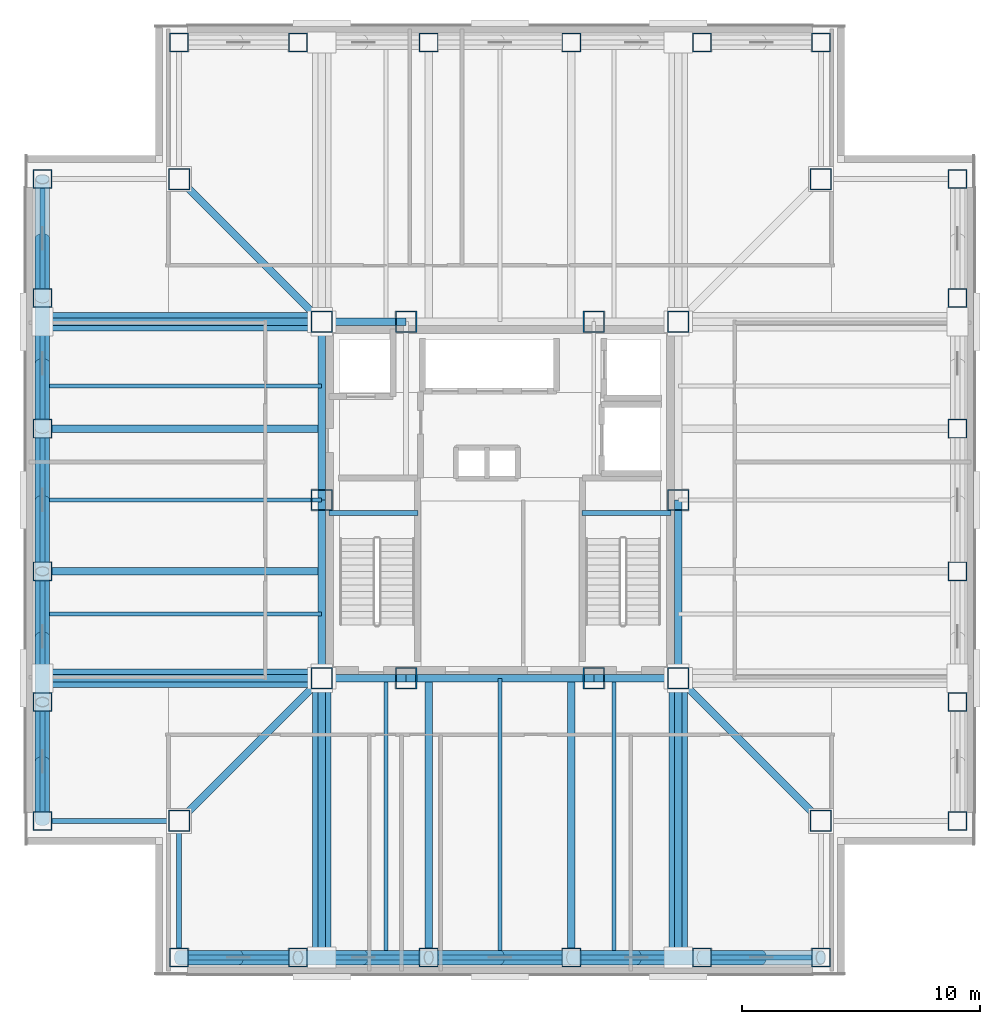
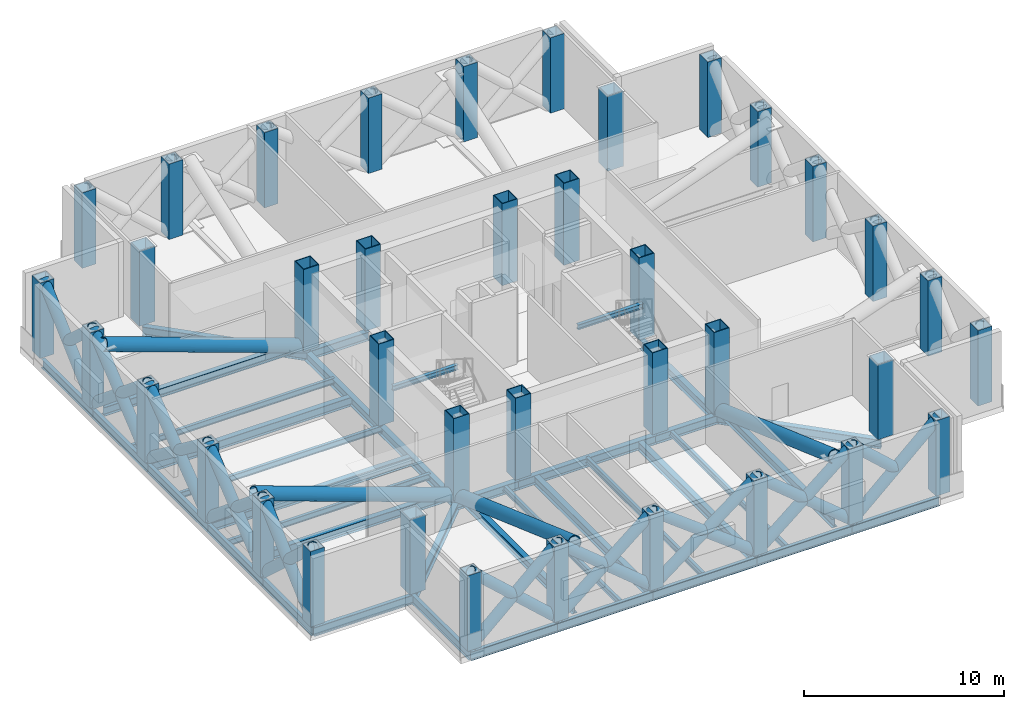
# One storey, part 1 of 10: 38 columns, 36 members, 34 beams.
"""IFC4 building model written with IfcOpenShell, lengths in metres."""

from ifc_helpers import new_model, si_unit, direction, frame, origin, origin_2d, place, context, subcontext, project, spatial, hollow_rectangle, hollow_circle, i_section, extrude, material, material_profile, profile_set, type_object, element, save


model = new_model("IFC4")

# Units and contexts
model_context = context("Model", 3, precision=1e-05, world=origin(), true_north=direction((0.0, 1.0)))
body_context = subcontext(model_context, "Body", "Model", "MODEL_VIEW")
ifc_project = project(units=[si_unit("LENGTHUNIT", "METRE"), si_unit("AREAUNIT", "SQUARE_METRE"), si_unit("VOLUMEUNIT", "CUBIC_METRE"), si_unit("PLANEANGLEUNIT", "RADIAN"), si_unit("MASSUNIT", "GRAM", prefix="KILO")], contexts=[model_context])

# Site, building, storey
site_placement = place(None, origin())
site = spatial("IfcSite", under=ifc_project, at=site_placement, CompositionType="ELEMENT")
building_placement = place(site_placement, origin())
building = spatial("IfcBuilding", under=site, at=building_placement, Name="Trevonay Congress Spire", CompositionType="ELEMENT")
storey_placement = place(building_placement, frame((0.0, 0.0, 227.39990234375)))
storey = spatial("IfcBuildingStorey", under=building, at=storey_placement, Name="L59", CompositionType="ELEMENT", Elevation=227.39990234375)

# Columns
ifc_material = material(Name="Steel ASTM A572 Grade 50", Category="steel")
ifc_material_profile_1 = material_profile(ifc_material, hollow_rectangle(XDim=0.89990234375, YDim=0.89990234375, WallThickness=0.044921875, at=origin_2d()), Name="BOX 900x900x45")
ifc_profile_set_1 = profile_set([ifc_material_profile_1], Name="Steel ASTM A572 Grade 50")
column_type_1 = type_object("IfcColumnType", Name="COL-CORE-BOX900", PredefinedType="COLUMN", material=ifc_profile_set_1)
for number, where, z_axis, x_axis, name in (
    (1, (-7.5, -7.5, 0.0), (0.0, 0.0, 1.0), (1.0, 0.0, 0.0), "L59 column C04 at CC-SW"),
    (2, (-3.949951171875, -7.5, 0.0), (0.0, 0.0, 1.0), (1.0, 0.0, 0.0), "L59 column C04 at CC-SMW"),
    (3, (3.949951171875, -7.5, 0.0), (0.0, 0.0, 1.0), (1.0, 0.0, 0.0), "L59 column C04 at CC-SME"),
    (4, (7.5, -7.5, 0.0), (0.0, 0.0, 1.0), (1.0, 0.0, 0.0), "L59 column C04 at CC-SE"),
    (5, (7.5, 0.0, 0.0), (0.0, 0.0, 1.0), (1.0, 0.0, 0.0), "L59 column C04 at CC-E"),
    (6, (7.5, 7.5, 0.0), (0.0, 0.0, 1.0), (1.0, 0.0, 0.0), "L59 column C04 at CC-NE"),
    (7, (3.949951171875, 7.5, 0.0), (0.0, 0.0, 1.0), (1.0, 0.0, 0.0), "L59 column C04 at CC-NME"),
    (8, (-3.949951171875, 7.5, 0.0), (0.0, 0.0, 1.0), (1.0, 0.0, 0.0), "L59 column C04 at CC-NMW"),
    (9, (-7.5, 7.5, 0.0), (0.0, 0.0, 1.0), (1.0, 0.0, 0.0), "L59 column C04 at CC-NW"),
    (10, (-7.5, 0.0, 0.0), (0.0, 0.0, 1.0), (1.0, 0.0, 0.0), "L59 column C04 at CC-W"),
):
    element("IfcColumn", number, at=place(storey_placement, frame(where, z_axis=z_axis, x_axis=x_axis)), inside=storey, type_object=column_type_1, Name=name, PredefinedType="COLUMN", context=body_context, shape_type="SweptSolid", body=[
        extrude(hollow_rectangle(XDim=0.89990234375, YDim=0.89990234375, WallThickness=0.044921875, at=origin_2d()), origin(), (0.0, 0.0, 1.0), 5.0),
    ])
ifc_material_profile_2 = material_profile(ifc_material, hollow_rectangle(XDim=0.800048828125, YDim=0.800048828125, WallThickness=0.0400390625, at=origin_2d()), Name="BOX 800x800x40")
ifc_profile_set_2 = profile_set([ifc_material_profile_2], Name="Steel ASTM A572 Grade 50")
column_type_2 = type_object("IfcColumnType", Name="COL-TUBE-BOX800", PredefinedType="COLUMN", material=ifc_profile_set_2)
for number, where, z_axis, x_axis, name in (
    (11, (-13.5, -19.25, 0.0), (0.0, 0.0, 1.0), (1.0, 0.0, 0.0), "L59 column C16 at TS-1"),
    (12, (-13.5, 19.25, 0.0), (0.0, 0.0, 1.0), (1.0, 0.0, 0.0), "L59 column C16 at TN-1"),
    (13, (-19.25, -13.5, 0.0), (0.0, 0.0, 1.0), (1.0, 0.0, 0.0), "L59 column C16 at TW-1"),
    (14, (19.25, -13.5, 0.0), (0.0, 0.0, 1.0), (1.0, 0.0, 0.0), "L59 column C16 at TE-1"),
    (15, (-8.5, -19.25, 0.0), (0.0, 0.0, 1.0), (1.0, 0.0, 0.0), "L59 column C16 at TS-2"),
    (16, (-8.5, 19.25, 0.0), (0.0, 0.0, 1.0), (1.0, 0.0, 0.0), "L59 column C16 at TN-2"),
    (17, (-19.25, -8.5, 0.0), (0.0, 0.0, 1.0), (1.0, 0.0, 0.0), "L59 column C16 at TW-2"),
    (18, (19.25, -8.5, 0.0), (0.0, 0.0, 1.0), (1.0, 0.0, 0.0), "L59 column C16 at TE-2"),
    (19, (-3.0, -19.25, 0.0), (0.0, 0.0, 1.0), (1.0, 0.0, 0.0), "L59 column C16 at TS-3"),
    (20, (-3.0, 19.25, 0.0), (0.0, 0.0, 1.0), (1.0, 0.0, 0.0), "L59 column C16 at TN-3"),
    (21, (-19.25, -3.0, 0.0), (0.0, 0.0, 1.0), (1.0, 0.0, 0.0), "L59 column C16 at TW-3"),
    (22, (19.25, -3.0, 0.0), (0.0, 0.0, 1.0), (1.0, 0.0, 0.0), "L59 column C16 at TE-3"),
    (23, (3.0, -19.25, 0.0), (0.0, 0.0, 1.0), (1.0, 0.0, 0.0), "L59 column C16 at TS-4"),
    (24, (3.0, 19.25, 0.0), (0.0, 0.0, 1.0), (1.0, 0.0, 0.0), "L59 column C16 at TN-4"),
    (25, (-19.25, 3.0, 0.0), (0.0, 0.0, 1.0), (1.0, 0.0, 0.0), "L59 column C16 at TW-4"),
    (26, (19.25, 3.0, 0.0), (0.0, 0.0, 1.0), (1.0, 0.0, 0.0), "L59 column C16 at TE-4"),
    (27, (8.5, -19.25, 0.0), (0.0, 0.0, 1.0), (1.0, 0.0, 0.0), "L59 column C16 at TS-5"),
    (28, (8.5, 19.25, 0.0), (0.0, 0.0, 1.0), (1.0, 0.0, 0.0), "L59 column C16 at TN-5"),
    (29, (-19.25, 8.5, 0.0), (0.0, 0.0, 1.0), (1.0, 0.0, 0.0), "L59 column C16 at TW-5"),
    (30, (19.25, 8.5, 0.0), (0.0, 0.0, 1.0), (1.0, 0.0, 0.0), "L59 column C16 at TE-5"),
    (31, (13.5, -19.25, 0.0), (0.0, 0.0, 1.0), (1.0, 0.0, 0.0), "L59 column C16 at TS-6"),
    (32, (13.5, 19.25, 0.0), (0.0, 0.0, 1.0), (1.0, 0.0, 0.0), "L59 column C16 at TN-6"),
    (33, (-19.25, 13.5, 0.0), (0.0, 0.0, 1.0), (1.0, 0.0, 0.0), "L59 column C16 at TW-6"),
    (34, (19.25, 13.5, 0.0), (0.0, 0.0, 1.0), (1.0, 0.0, 0.0), "L59 column C16 at TE-6"),
):
    element("IfcColumn", number, at=place(storey_placement, frame(where, z_axis=z_axis, x_axis=x_axis)), inside=storey, type_object=column_type_2, Name=name, PredefinedType="COLUMN", context=body_context, shape_type="SweptSolid", body=[
        extrude(hollow_rectangle(XDim=0.800048828125, YDim=0.800048828125, WallThickness=0.0400390625, at=origin_2d()), origin(), (0.0, 0.0, 1.0), 4.60009765625),
    ])
ifc_material_profile_3 = material_profile(ifc_material, hollow_rectangle(XDim=0.89990234375, YDim=0.89990234375, WallThickness=0.044921875, at=origin_2d()), Name="BOX 900x900x45")
ifc_profile_set_3 = profile_set([ifc_material_profile_3], Name="Steel ASTM A572 Grade 50")
column_type_3 = type_object("IfcColumnType", Name="COL-TUBE-BOX900", PredefinedType="COLUMN", material=ifc_profile_set_3)
for number, where, z_axis, x_axis, name in (
    (35, (-13.5, -13.5, 0.0), (0.0, 0.0, 1.0), (1.0, 0.0, 0.0), "L59 column C15 at NC-SW"),
    (36, (13.5, -13.5, 0.0), (0.0, 0.0, 1.0), (1.0, 0.0, 0.0), "L59 column C15 at NC-SE"),
    (37, (13.5, 13.5, 0.0), (0.0, 0.0, 1.0), (1.0, 0.0, 0.0), "L59 column C15 at NC-NE"),
    (38, (-13.5, 13.5, 0.0), (0.0, 0.0, 1.0), (1.0, 0.0, 0.0), "L59 column C15 at NC-NW"),
):
    element("IfcColumn", number, at=place(storey_placement, frame(where, z_axis=z_axis, x_axis=x_axis)), inside=storey, type_object=column_type_3, Name=name, PredefinedType="COLUMN", context=body_context, shape_type="SweptSolid", body=[
        extrude(hollow_rectangle(XDim=0.89990234375, YDim=0.89990234375, WallThickness=0.044921875, at=origin_2d()), origin(), (0.0, 0.0, 1.0), 4.60009765625),
    ])

# Beams
ifc_material_profile_4 = material_profile(ifc_material, i_section(OverallWidth=0.31201171875, OverallDepth=0.54296875, WebThickness=0.0126953125, FlangeThickness=0.020263671875, FilletRadius=0.014892578125, at=origin_2d()), Name="W530x150")
ifc_profile_set_4 = profile_set([ifc_material_profile_4], Name="Steel ASTM A572 Grade 50")
beam_type_1 = type_object("IfcBeamType", Name="BM-GIRD-W530X150", PredefinedType="BEAM", material=ifc_profile_set_4)
beam_1_placement = place(storey_placement, frame((-7.5, -7.5, -0.621337890625), z_axis=(1.0, 0.0, 0.0), x_axis=(0.0, 1.0, 0.0)))
element("IfcBeam", 39, at=beam_1_placement, inside=storey, type_object=beam_type_1, Name="L59 structural beam BM-L59-CR-S1", PredefinedType="BEAM", context=body_context, shape_type="SweptSolid", body=[
    extrude(i_section(OverallWidth=0.31201171875, OverallDepth=0.54296875, WebThickness=0.0126953125, FlangeThickness=0.020263671875, FilletRadius=0.014892578125, at=origin_2d()), origin(), (0.0, 0.0, 1.0), 3.550048828125),
])
beam_2_placement = place(storey_placement, frame((-3.949951171875, -7.5, -0.621337890625), z_axis=(1.0, 0.0, 0.0), x_axis=(0.0, 1.0, 0.0)))
element("IfcBeam", 40, at=beam_2_placement, inside=storey, type_object=beam_type_1, Name="L59 structural beam BM-L59-CR-S2", PredefinedType="BEAM", context=body_context, shape_type="SweptSolid", body=[
    extrude(i_section(OverallWidth=0.31201171875, OverallDepth=0.54296875, WebThickness=0.0126953125, FlangeThickness=0.020263671875, FilletRadius=0.014892578125, at=origin_2d()), origin(), (0.0, 0.0, 1.0), 7.89990234375),
])
for number, where, z_axis, x_axis, name in (
    (41, (3.949951171875, -7.5, -0.621337890625), (1.0, 0.0, 0.0), (0.0, 1.0, 0.0), "L59 structural beam BM-L59-CR-S3"),
    (42, (-7.5, 7.5, -0.621337890625), (1.0, 0.0, 0.0), (0.0, 1.0, 0.0), "L59 structural beam BM-L59-CR-N1"),
):
    element("IfcBeam", number, at=place(storey_placement, frame(where, z_axis=z_axis, x_axis=x_axis)), inside=storey, type_object=beam_type_1, Name=name, PredefinedType="BEAM", context=body_context, shape_type="SweptSolid", body=[
        extrude(i_section(OverallWidth=0.31201171875, OverallDepth=0.54296875, WebThickness=0.0126953125, FlangeThickness=0.020263671875, FilletRadius=0.014892578125, at=origin_2d()), origin(), (0.0, 0.0, 1.0), 3.550048828125),
    ])
for number, where, z_axis, x_axis, name in (
    (43, (-7.5, -7.5, -0.621337890625), (0.0, 1.0, 0.0), (-1.0, 0.0, 0.0), "L59 structural beam BM-L59-CR-W1"),
    (44, (-7.5, 0.0, -0.621337890625), (0.0, 1.0, 0.0), (-1.0, 0.0, 0.0), "L59 structural beam BM-L59-CR-W2"),
    (45, (7.5, -7.5, -0.621337890625), (0.0, 1.0, 0.0), (-1.0, 0.0, 0.0), "L59 structural beam BM-L59-CR-E1"),
):
    element("IfcBeam", number, at=place(storey_placement, frame(where, z_axis=z_axis, x_axis=x_axis)), inside=storey, type_object=beam_type_1, Name=name, PredefinedType="BEAM", context=body_context, shape_type="SweptSolid", body=[
        extrude(i_section(OverallWidth=0.31201171875, OverallDepth=0.54296875, WebThickness=0.0126953125, FlangeThickness=0.020263671875, FilletRadius=0.014892578125, at=origin_2d()), origin(), (0.0, 0.0, 1.0), 7.5),
    ])
for number, where, z_axis, x_axis, name in (
    (46, (-7.5, -7.5, -0.621337890625), (-0.707106781187, -0.707106781187, 0.0), (0.707106781187, -0.707106781187, 0.0), "L59 structural beam BM-L59-CDSW"),
    (47, (7.5, -7.5, -0.621337890625), (0.707106781187, -0.707106781187, 0.0), (0.707106781187, 0.707106781187, 0.0), "L59 structural beam BM-L59-CDSE"),
    (48, (-7.5, 7.5, -0.621337890625), (-0.707106781187, 0.707106781187, 0.0), (-0.707106781187, -0.707106781187, 0.0), "L59 structural beam BM-L59-CDNW"),
):
    element("IfcBeam", number, at=place(storey_placement, frame(where, z_axis=z_axis, x_axis=x_axis)), inside=storey, type_object=beam_type_1, Name=name, PredefinedType="BEAM", context=body_context, shape_type="SweptSolid", body=[
        extrude(i_section(OverallWidth=0.31201171875, OverallDepth=0.54296875, WebThickness=0.0126953125, FlangeThickness=0.020263671875, FilletRadius=0.014892578125, at=origin_2d()), origin(), (0.0, 0.0, 1.0), 8.4853515625),
    ])
for number, where, z_axis, x_axis, name in (
    (49, (-3.0, -7.5, -0.621337890625), (0.0, -1.0, 0.0), (1.0, 0.0, 0.0), "L59 structural beam BM-L59-GS-M"),
    (50, (-7.5, -3.0, -0.621337890625), (-1.0, 0.0, 0.0), (0.0, -1.0, 0.0), "L59 structural beam BM-L59-GW-M"),
    (51, (3.0, -7.5, -0.621337890625), (0.0, -1.0, 0.0), (1.0, 0.0, 0.0), "L59 structural beam BM-L59-GS-P"),
    (52, (-7.5, 3.0, -0.621337890625), (-1.0, 0.0, 0.0), (0.0, -1.0, 0.0), "L59 structural beam BM-L59-GW-P"),
):
    element("IfcBeam", number, at=place(storey_placement, frame(where, z_axis=z_axis, x_axis=x_axis)), inside=storey, type_object=beam_type_1, Name=name, PredefinedType="BEAM", context=body_context, shape_type="SweptSolid", body=[
        extrude(i_section(OverallWidth=0.31201171875, OverallDepth=0.54296875, WebThickness=0.0126953125, FlangeThickness=0.020263671875, FilletRadius=0.014892578125, at=origin_2d()), origin(), (0.0, 0.0, 1.0), 11.75),
    ])
ifc_material_profile_5 = material_profile(ifc_material, i_section(OverallWidth=0.2119140625, OverallDepth=0.5439453125, WebThickness=0.01318359375, FlangeThickness=0.021240234375, FilletRadius=0.014892578125, at=origin_2d()), Name="W530x123")
ifc_profile_set_5 = profile_set([ifc_material_profile_5], Name="Steel ASTM A572 Grade 50")
beam_type_2 = type_object("IfcBeamType", Name="BM-RING-W530X123", PredefinedType="BEAM", material=ifc_profile_set_5)
for number, where, z_axis, x_axis, name in (
    (53, (-13.5, -19.25, -0.621826171875), (1.0, 0.0, 0.0), (0.0, 1.0, 0.0), "L59 structural beam BM-L59-PS1"),
    (54, (-19.25, -13.5, -0.621826171875), (0.0, 1.0, 0.0), (-1.0, 0.0, 0.0), "L59 structural beam BM-L59-PW1"),
):
    element("IfcBeam", number, at=place(storey_placement, frame(where, z_axis=z_axis, x_axis=x_axis)), inside=storey, type_object=beam_type_2, Name=name, PredefinedType="BEAM", context=body_context, shape_type="SweptSolid", body=[
        extrude(i_section(OverallWidth=0.2119140625, OverallDepth=0.5439453125, WebThickness=0.01318359375, FlangeThickness=0.021240234375, FilletRadius=0.014892578125, at=origin_2d()), origin(), (0.0, 0.0, 1.0), 5.0),
    ])
for number, where, z_axis, x_axis, name in (
    (55, (-8.5, -19.25, -0.621826171875), (1.0, 0.0, 0.0), (0.0, 1.0, 0.0), "L59 structural beam BM-L59-PS2"),
    (56, (-19.25, -8.5, -0.621826171875), (0.0, 1.0, 0.0), (-1.0, 0.0, 0.0), "L59 structural beam BM-L59-PW2"),
):
    element("IfcBeam", number, at=place(storey_placement, frame(where, z_axis=z_axis, x_axis=x_axis)), inside=storey, type_object=beam_type_2, Name=name, PredefinedType="BEAM", context=body_context, shape_type="SweptSolid", body=[
        extrude(i_section(OverallWidth=0.2119140625, OverallDepth=0.5439453125, WebThickness=0.01318359375, FlangeThickness=0.021240234375, FilletRadius=0.014892578125, at=origin_2d()), origin(), (0.0, 0.0, 1.0), 5.5),
    ])
for number, where, z_axis, x_axis, name in (
    (57, (-3.0, -19.25, -0.621826171875), (1.0, 0.0, 0.0), (0.0, 1.0, 0.0), "L59 structural beam BM-L59-PS3"),
    (58, (-19.25, -3.0, -0.621826171875), (0.0, 1.0, 0.0), (-1.0, 0.0, 0.0), "L59 structural beam BM-L59-PW3"),
):
    element("IfcBeam", number, at=place(storey_placement, frame(where, z_axis=z_axis, x_axis=x_axis)), inside=storey, type_object=beam_type_2, Name=name, PredefinedType="BEAM", context=body_context, shape_type="SweptSolid", body=[
        extrude(i_section(OverallWidth=0.2119140625, OverallDepth=0.5439453125, WebThickness=0.01318359375, FlangeThickness=0.021240234375, FilletRadius=0.014892578125, at=origin_2d()), origin(), (0.0, 0.0, 1.0), 6.0),
    ])
for number, where, z_axis, x_axis, name in (
    (59, (3.0, -19.25, -0.621826171875), (1.0, 0.0, 0.0), (0.0, 1.0, 0.0), "L59 structural beam BM-L59-PS4"),
    (60, (-19.25, 3.0, -0.621826171875), (0.0, 1.0, 0.0), (-1.0, 0.0, 0.0), "L59 structural beam BM-L59-PW4"),
):
    element("IfcBeam", number, at=place(storey_placement, frame(where, z_axis=z_axis, x_axis=x_axis)), inside=storey, type_object=beam_type_2, Name=name, PredefinedType="BEAM", context=body_context, shape_type="SweptSolid", body=[
        extrude(i_section(OverallWidth=0.2119140625, OverallDepth=0.5439453125, WebThickness=0.01318359375, FlangeThickness=0.021240234375, FilletRadius=0.014892578125, at=origin_2d()), origin(), (0.0, 0.0, 1.0), 5.5),
    ])
for number, where, z_axis, x_axis, name in (
    (61, (8.5, -19.25, -0.621826171875), (1.0, 0.0, 0.0), (0.0, 1.0, 0.0), "L59 structural beam BM-L59-PS5"),
    (62, (-19.25, 8.5, -0.621826171875), (0.0, 1.0, 0.0), (-1.0, 0.0, 0.0), "L59 structural beam BM-L59-PW5"),
):
    element("IfcBeam", number, at=place(storey_placement, frame(where, z_axis=z_axis, x_axis=x_axis)), inside=storey, type_object=beam_type_2, Name=name, PredefinedType="BEAM", context=body_context, shape_type="SweptSolid", body=[
        extrude(i_section(OverallWidth=0.2119140625, OverallDepth=0.5439453125, WebThickness=0.01318359375, FlangeThickness=0.021240234375, FilletRadius=0.014892578125, at=origin_2d()), origin(), (0.0, 0.0, 1.0), 5.0),
    ])
for number, where, z_axis, x_axis, name in (
    (63, (-13.5, -19.25, -0.621826171875), (0.0, 1.0, 0.0), (-1.0, 0.0, 0.0), "L59 structural beam BM-L59-N1SW"),
    (64, (-19.25, -13.5, -0.621826171875), (1.0, 0.0, 0.0), (0.0, 1.0, 0.0), "L59 structural beam BM-L59-N2SW"),
):
    element("IfcBeam", number, at=place(storey_placement, frame(where, z_axis=z_axis, x_axis=x_axis)), inside=storey, type_object=beam_type_2, Name=name, PredefinedType="BEAM", context=body_context, shape_type="SweptSolid", body=[
        extrude(i_section(OverallWidth=0.2119140625, OverallDepth=0.5439453125, WebThickness=0.01318359375, FlangeThickness=0.021240234375, FilletRadius=0.014892578125, at=origin_2d()), origin(), (0.0, 0.0, 1.0), 5.75),
    ])
ifc_material_profile_6 = material_profile(ifc_material, i_section(OverallWidth=0.172119140625, OverallDepth=0.35791015625, WebThickness=0.0078125, FlangeThickness=0.01318359375, FilletRadius=0.011962890625, at=origin_2d()), Name="W360x57.8")
ifc_profile_set_6 = profile_set([ifc_material_profile_6], Name="Steel ASTM A572 Grade 50")
beam_type_3 = type_object("IfcBeamType", Name="JS-COMP-W360X57", PredefinedType="JOIST", material=ifc_profile_set_6)
for number, where, z_axis, x_axis, name in (
    (65, (-4.800048828125, -19.25, -0.52880859375), (0.0, 1.0, 0.0), (-1.0, 0.0, 0.0), "L59 structural beam JS-L59-NS-S1"),
    (66, (-19.25, -4.800048828125, -0.52880859375), (1.0, 0.0, 0.0), (0.0, 1.0, 0.0), "L59 structural beam JS-L59-EW-W1"),
    (67, (0.0, -19.25, -0.52880859375), (0.0, 1.0, 0.0), (-1.0, 0.0, 0.0), "L59 structural beam JS-L59-NS-S2"),
    (68, (-19.25, 0.0, -0.52880859375), (1.0, 0.0, 0.0), (0.0, 1.0, 0.0), "L59 structural beam JS-L59-EW-W2"),
    (69, (4.800048828125, -19.25, -0.52880859375), (0.0, 1.0, 0.0), (-1.0, 0.0, 0.0), "L59 structural beam JS-L59-NS-S3"),
    (70, (-19.25, 4.800048828125, -0.52880859375), (1.0, 0.0, 0.0), (0.0, 1.0, 0.0), "L59 structural beam JS-L59-EW-W3"),
):
    element("IfcBeam", number, at=place(storey_placement, frame(where, z_axis=z_axis, x_axis=x_axis)), inside=storey, type_object=beam_type_3, Name=name, PredefinedType="JOIST", context=body_context, shape_type="SweptSolid", body=[
        extrude(i_section(OverallWidth=0.172119140625, OverallDepth=0.35791015625, WebThickness=0.0078125, FlangeThickness=0.01318359375, FilletRadius=0.011962890625, at=origin_2d()), origin(), (0.0, 0.0, 1.0), 11.75),
    ])
ifc_material_profile_7 = material_profile(ifc_material, i_section(OverallWidth=0.2041015625, OverallDepth=0.305908203125, WebThickness=0.008544921875, FlangeThickness=0.0146484375, FilletRadius=0.010986328125, at=origin_2d()), Name="W310x67")
ifc_profile_set_7 = profile_set([ifc_material_profile_7], Name="Steel ASTM A572 Grade 50")
beam_type_4 = type_object("IfcBeamType", Name="LN-CORE-W310X67", PredefinedType="LINTEL", material=ifc_profile_set_7)
for number, where, z_axis, x_axis, name in (
    (71, (-7.199951171875, -0.550048828125, 2.147216796875), (1.0, 0.0, 0.0), (0.0, 1.0, 0.0), "L59 structural beam BM-L59-HL-ST1"),
    (72, (3.449951171875, -0.550048828125, 2.147216796875), (1.0, 0.0, 0.0), (0.0, 1.0, 0.0), "L59 structural beam BM-L59-HL-ST2"),
):
    element("IfcBeam", number, at=place(storey_placement, frame(where, z_axis=z_axis, x_axis=x_axis)), inside=storey, type_object=beam_type_4, Name=name, PredefinedType="LINTEL", context=body_context, shape_type="SweptSolid", body=[
        extrude(i_section(OverallWidth=0.2041015625, OverallDepth=0.305908203125, WebThickness=0.008544921875, FlangeThickness=0.0146484375, FilletRadius=0.010986328125, at=origin_2d()), origin(), (0.0, 0.0, 1.0), 3.75),
    ])

# Members
ifc_material_profile_8 = material_profile(ifc_material, i_section(OverallWidth=0.31201171875, OverallDepth=0.54296875, WebThickness=0.0126953125, FlangeThickness=0.020263671875, FilletRadius=0.014892578125, at=origin_2d()), Name="W530x150")
ifc_profile_set_8 = profile_set([ifc_material_profile_8], Name="Steel ASTM A572 Grade 50")
member_type_1 = type_object("IfcMemberType", Name="MBR-CHORD-HSS500", PredefinedType="CHORD", material=ifc_profile_set_8)
for number, where, z_axis, x_axis, name in (
    (73, (-7.5, -7.5, 0.10009765625), (0.0, -1.0, 0.0), (1.0, 0.0, 0.0), "L59 outrigger bottom chord OS-W"),
    (74, (7.5, -7.5, 0.10009765625), (0.0, -1.0, 0.0), (1.0, 0.0, 0.0), "L59 outrigger bottom chord OS-E"),
    (75, (-7.5, -7.5, 0.10009765625), (-1.0, 0.0, 0.0), (0.0, -1.0, 0.0), "L59 outrigger bottom chord OW-S"),
    (76, (-7.5, 7.5, 0.10009765625), (-1.0, 0.0, 0.0), (0.0, -1.0, 0.0), "L59 outrigger bottom chord OW-N"),
):
    element("IfcMember", number, at=place(storey_placement, frame(where, z_axis=z_axis, x_axis=x_axis)), inside=storey, type_object=member_type_1, Name=name, PredefinedType="CHORD", context=body_context, shape_type="SweptSolid", body=[
        extrude(i_section(OverallWidth=0.31201171875, OverallDepth=0.54296875, WebThickness=0.0126953125, FlangeThickness=0.020263671875, FilletRadius=0.014892578125, at=origin_2d()), origin(), (0.0, 0.0, 1.0), 11.75),
    ])
ifc_material_profile_9 = material_profile(ifc_material, hollow_circle(Radius=0.381103515625, WallThickness=0.0400390625, at=origin_2d()), Name="CHS 762x40")
ifc_profile_set_9 = profile_set([ifc_material_profile_9], Name="Steel ASTM A572 Grade 50")
member_type_2 = type_object("IfcMemberType", Name="MBR-OUTRIG-CHS762", PredefinedType="BRACE", material=ifc_profile_set_9)
for number, where, z_axis, x_axis, name in (
    (77, (-7.5, -7.5, -0.0498046875), (0.0, -0.941652460936, 0.336586753771), (1.0, 0.0, 0.0), "L59 outrigger diagonal OS-W"),
    (78, (7.5, -7.5, -0.0498046875), (0.0, -0.941652460936, 0.336586753771), (1.0, 0.0, 0.0), "L59 outrigger diagonal OS-E"),
    (79, (-7.5, -7.5, -0.0498046875), (-0.941652460936, 0.0, 0.336586753771), (0.0, -1.0, 0.0), "L59 outrigger diagonal OW-S"),
    (80, (-7.5, 7.5, -0.0498046875), (-0.941652460936, 0.0, 0.336586753771), (0.0, -1.0, 0.0), "L59 outrigger diagonal OW-N"),
):
    element("IfcMember", number, at=place(storey_placement, frame(where, z_axis=z_axis, x_axis=x_axis)), inside=storey, type_object=member_type_2, Name=name, PredefinedType="BRACE", context=body_context, shape_type="SweptSolid", body=[
        extrude(hollow_circle(Radius=0.381103515625, WallThickness=0.0400390625, at=origin_2d()), origin(), (0.0, 0.0, 1.0), 12.47802734375),
    ])
ifc_material_profile_10 = material_profile(ifc_material, hollow_circle(Radius=0.304931640625, WallThickness=0.031982421875, at=origin_2d()), Name="CHS 610x32")
ifc_profile_set_10 = profile_set([ifc_material_profile_10], Name="Steel ASTM A572 Grade 50")
member_type_3 = type_object("IfcMemberType", Name="MBR-TUBE-CHS610", PredefinedType="BRACE", material=ifc_profile_set_10)
member_1_placement = place(storey_placement, frame((-13.5, -19.25, -0.0498046875), z_axis=(0.739619700303, 0.0, 0.673025035881), x_axis=(0.0, 1.0, 0.0)))
element("IfcMember", 81, at=member_1_placement, inside=storey, type_object=member_type_3, Name="L59 continuous belt truss diagonal S0-1", PredefinedType="BRACE", context=body_context, shape_type="SweptSolid", body=[
    extrude(hollow_circle(Radius=0.304931640625, WallThickness=0.031982421875, at=origin_2d()), origin(), (0.0, 0.0, 1.0), 6.76025390625),
])
for number, where, z_axis, x_axis, name in (
    (82, (-13.5, -19.25, 4.5), (0.739619700303, 0.0, -0.673025035881), (0.0, 1.0, 0.0), "L59 split belt truss diagonal segment S0-2A"),
    (83, (-11.0, -19.25, 2.22509765625), (0.739619700303, 0.0, -0.673025035881), (0.0, 1.0, 0.0), "L59 split belt truss diagonal segment S0-2B"),
):
    element("IfcMember", number, at=place(storey_placement, frame(where, z_axis=z_axis, x_axis=x_axis)), inside=storey, type_object=member_type_3, Name=name, PredefinedType="BRACE", context=body_context, shape_type="SweptSolid", body=[
        extrude(hollow_circle(Radius=0.304931640625, WallThickness=0.031982421875, at=origin_2d()), origin(), (0.0, 0.0, 1.0), 3.380126953125),
    ])
member_2_placement = place(storey_placement, frame((-8.5, -19.25, -0.0498046875), z_axis=(0.770526385827, 0.0, 0.637408102196), x_axis=(0.0, 1.0, 0.0)))
element("IfcMember", 84, at=member_2_placement, inside=storey, type_object=member_type_3, Name="L59 continuous belt truss diagonal S1-1", PredefinedType="BRACE", context=body_context, shape_type="SweptSolid", body=[
    extrude(hollow_circle(Radius=0.304931640625, WallThickness=0.031982421875, at=origin_2d()), origin(), (0.0, 0.0, 1.0), 7.137939453125),
])
for number, where, z_axis, x_axis, name in (
    (85, (-8.5, -19.25, 4.5), (0.770526385827, 0.0, -0.637408102196), (0.0, 1.0, 0.0), "L59 split belt truss diagonal segment S1-2A"),
    (86, (-5.75, -19.25, 2.22509765625), (0.770526385827, 0.0, -0.637408102196), (0.0, 1.0, 0.0), "L59 split belt truss diagonal segment S1-2B"),
):
    element("IfcMember", number, at=place(storey_placement, frame(where, z_axis=z_axis, x_axis=x_axis)), inside=storey, type_object=member_type_3, Name=name, PredefinedType="BRACE", context=body_context, shape_type="SweptSolid", body=[
        extrude(hollow_circle(Radius=0.304931640625, WallThickness=0.031982421875, at=origin_2d()), origin(), (0.0, 0.0, 1.0), 3.569091796875),
    ])
member_3_placement = place(storey_placement, frame((-3.0, -19.25, -0.0498046875), z_axis=(0.796813994837, 0.0, 0.604224674796), x_axis=(0.0, 1.0, 0.0)))
element("IfcMember", 87, at=member_3_placement, inside=storey, type_object=member_type_3, Name="L59 continuous belt truss diagonal S2-1", PredefinedType="BRACE", context=body_context, shape_type="SweptSolid", body=[
    extrude(hollow_circle(Radius=0.304931640625, WallThickness=0.031982421875, at=origin_2d()), origin(), (0.0, 0.0, 1.0), 7.530029296875),
])
for number, where, z_axis, x_axis, name in (
    (88, (-3.0, -19.25, 4.5), (0.796813994837, 0.0, -0.604224674796), (0.0, 1.0, 0.0), "L59 split belt truss diagonal segment S2-2A"),
    (89, (0.0, -19.25, 2.22509765625), (0.796813994837, 0.0, -0.604224674796), (0.0, 1.0, 0.0), "L59 split belt truss diagonal segment S2-2B"),
):
    element("IfcMember", number, at=place(storey_placement, frame(where, z_axis=z_axis, x_axis=x_axis)), inside=storey, type_object=member_type_3, Name=name, PredefinedType="BRACE", context=body_context, shape_type="SweptSolid", body=[
        extrude(hollow_circle(Radius=0.304931640625, WallThickness=0.031982421875, at=origin_2d()), origin(), (0.0, 0.0, 1.0), 3.764892578125),
    ])
member_4_placement = place(storey_placement, frame((3.0, -19.25, -0.0498046875), z_axis=(0.770526385827, 0.0, 0.637408102196), x_axis=(0.0, 1.0, 0.0)))
element("IfcMember", 90, at=member_4_placement, inside=storey, type_object=member_type_3, Name="L59 continuous belt truss diagonal S3-1", PredefinedType="BRACE", context=body_context, shape_type="SweptSolid", body=[
    extrude(hollow_circle(Radius=0.304931640625, WallThickness=0.031982421875, at=origin_2d()), origin(), (0.0, 0.0, 1.0), 7.137939453125),
])
for number, where, z_axis, x_axis, name in (
    (91, (3.0, -19.25, 4.5), (0.770526385827, 0.0, -0.637408102196), (0.0, 1.0, 0.0), "L59 split belt truss diagonal segment S3-2A"),
    (92, (5.75, -19.25, 2.22509765625), (0.770526385827, 0.0, -0.637408102196), (0.0, 1.0, 0.0), "L59 split belt truss diagonal segment S3-2B"),
):
    element("IfcMember", number, at=place(storey_placement, frame(where, z_axis=z_axis, x_axis=x_axis)), inside=storey, type_object=member_type_3, Name=name, PredefinedType="BRACE", context=body_context, shape_type="SweptSolid", body=[
        extrude(hollow_circle(Radius=0.304931640625, WallThickness=0.031982421875, at=origin_2d()), origin(), (0.0, 0.0, 1.0), 3.569091796875),
    ])
member_5_placement = place(storey_placement, frame((8.5, -19.25, -0.0498046875), z_axis=(0.739619700303, 0.0, 0.673025035881), x_axis=(0.0, 1.0, 0.0)))
element("IfcMember", 93, at=member_5_placement, inside=storey, type_object=member_type_3, Name="L59 continuous belt truss diagonal S4-1", PredefinedType="BRACE", context=body_context, shape_type="SweptSolid", body=[
    extrude(hollow_circle(Radius=0.304931640625, WallThickness=0.031982421875, at=origin_2d()), origin(), (0.0, 0.0, 1.0), 6.76025390625),
])
member_6_placement = place(storey_placement, frame((8.5, -19.25, 4.5), z_axis=(0.739619700303, 0.0, -0.673025035881), x_axis=(0.0, 1.0, 0.0)))
element("IfcMember", 94, at=member_6_placement, inside=storey, type_object=member_type_3, Name="L59 split belt truss diagonal segment S4-2A", PredefinedType="BRACE", context=body_context, shape_type="SweptSolid", body=[
    extrude(hollow_circle(Radius=0.304931640625, WallThickness=0.031982421875, at=origin_2d()), origin(), (0.0, 0.0, 1.0), 3.380126953125),
])
member_7_placement = place(storey_placement, frame((-19.25, -13.5, -0.0498046875), z_axis=(0.0, 0.739619700303, 0.673025035881), x_axis=(-1.0, 0.0, 0.0)))
element("IfcMember", 95, at=member_7_placement, inside=storey, type_object=member_type_3, Name="L59 continuous belt truss diagonal W0-1", PredefinedType="BRACE", context=body_context, shape_type="SweptSolid", body=[
    extrude(hollow_circle(Radius=0.304931640625, WallThickness=0.031982421875, at=origin_2d()), origin(), (0.0, 0.0, 1.0), 6.76025390625),
])
for number, where, z_axis, x_axis, name in (
    (96, (-19.25, -13.5, 4.5), (0.0, 0.739619700303, -0.673025035881), (-1.0, 0.0, 0.0), "L59 split belt truss diagonal segment W0-2A"),
    (97, (-19.25, -11.0, 2.22509765625), (0.0, 0.739619700303, -0.673025035881), (-1.0, 0.0, 0.0), "L59 split belt truss diagonal segment W0-2B"),
):
    element("IfcMember", number, at=place(storey_placement, frame(where, z_axis=z_axis, x_axis=x_axis)), inside=storey, type_object=member_type_3, Name=name, PredefinedType="BRACE", context=body_context, shape_type="SweptSolid", body=[
        extrude(hollow_circle(Radius=0.304931640625, WallThickness=0.031982421875, at=origin_2d()), origin(), (0.0, 0.0, 1.0), 3.380126953125),
    ])
member_8_placement = place(storey_placement, frame((-19.25, -8.5, -0.0498046875), z_axis=(0.0, 0.770526385827, 0.637408102196), x_axis=(-1.0, 0.0, 0.0)))
element("IfcMember", 98, at=member_8_placement, inside=storey, type_object=member_type_3, Name="L59 continuous belt truss diagonal W1-1", PredefinedType="BRACE", context=body_context, shape_type="SweptSolid", body=[
    extrude(hollow_circle(Radius=0.304931640625, WallThickness=0.031982421875, at=origin_2d()), origin(), (0.0, 0.0, 1.0), 7.137939453125),
])
for number, where, z_axis, x_axis, name in (
    (99, (-19.25, -8.5, 4.5), (0.0, 0.770526385827, -0.637408102196), (-1.0, 0.0, 0.0), "L59 split belt truss diagonal segment W1-2A"),
    (100, (-19.25, -5.75, 2.22509765625), (0.0, 0.770526385827, -0.637408102196), (-1.0, 0.0, 0.0), "L59 split belt truss diagonal segment W1-2B"),
):
    element("IfcMember", number, at=place(storey_placement, frame(where, z_axis=z_axis, x_axis=x_axis)), inside=storey, type_object=member_type_3, Name=name, PredefinedType="BRACE", context=body_context, shape_type="SweptSolid", body=[
        extrude(hollow_circle(Radius=0.304931640625, WallThickness=0.031982421875, at=origin_2d()), origin(), (0.0, 0.0, 1.0), 3.569091796875),
    ])
member_9_placement = place(storey_placement, frame((-19.25, -3.0, -0.0498046875), z_axis=(0.0, 0.796813994837, 0.604224674796), x_axis=(-1.0, 0.0, 0.0)))
element("IfcMember", 101, at=member_9_placement, inside=storey, type_object=member_type_3, Name="L59 continuous belt truss diagonal W2-1", PredefinedType="BRACE", context=body_context, shape_type="SweptSolid", body=[
    extrude(hollow_circle(Radius=0.304931640625, WallThickness=0.031982421875, at=origin_2d()), origin(), (0.0, 0.0, 1.0), 7.530029296875),
])
for number, where, z_axis, x_axis, name in (
    (102, (-19.25, -3.0, 4.5), (0.0, 0.796813994837, -0.604224674796), (-1.0, 0.0, 0.0), "L59 split belt truss diagonal segment W2-2A"),
    (103, (-19.25, 0.0, 2.22509765625), (0.0, 0.796813994837, -0.604224674796), (-1.0, 0.0, 0.0), "L59 split belt truss diagonal segment W2-2B"),
):
    element("IfcMember", number, at=place(storey_placement, frame(where, z_axis=z_axis, x_axis=x_axis)), inside=storey, type_object=member_type_3, Name=name, PredefinedType="BRACE", context=body_context, shape_type="SweptSolid", body=[
        extrude(hollow_circle(Radius=0.304931640625, WallThickness=0.031982421875, at=origin_2d()), origin(), (0.0, 0.0, 1.0), 3.764892578125),
    ])
member_10_placement = place(storey_placement, frame((-19.25, 3.0, -0.0498046875), z_axis=(0.0, 0.770526385827, 0.637408102196), x_axis=(-1.0, 0.0, 0.0)))
element("IfcMember", 104, at=member_10_placement, inside=storey, type_object=member_type_3, Name="L59 continuous belt truss diagonal W3-1", PredefinedType="BRACE", context=body_context, shape_type="SweptSolid", body=[
    extrude(hollow_circle(Radius=0.304931640625, WallThickness=0.031982421875, at=origin_2d()), origin(), (0.0, 0.0, 1.0), 7.137939453125),
])
for number, where, z_axis, x_axis, name in (
    (105, (-19.25, 3.0, 4.5), (0.0, 0.770526385827, -0.637408102196), (-1.0, 0.0, 0.0), "L59 split belt truss diagonal segment W3-2A"),
    (106, (-19.25, 5.75, 2.22509765625), (0.0, 0.770526385827, -0.637408102196), (-1.0, 0.0, 0.0), "L59 split belt truss diagonal segment W3-2B"),
):
    element("IfcMember", number, at=place(storey_placement, frame(where, z_axis=z_axis, x_axis=x_axis)), inside=storey, type_object=member_type_3, Name=name, PredefinedType="BRACE", context=body_context, shape_type="SweptSolid", body=[
        extrude(hollow_circle(Radius=0.304931640625, WallThickness=0.031982421875, at=origin_2d()), origin(), (0.0, 0.0, 1.0), 3.569091796875),
    ])
member_11_placement = place(storey_placement, frame((-19.25, 8.5, -0.0498046875), z_axis=(0.0, 0.739619700303, 0.673025035881), x_axis=(-1.0, 0.0, 0.0)))
element("IfcMember", 107, at=member_11_placement, inside=storey, type_object=member_type_3, Name="L59 continuous belt truss diagonal W4-1", PredefinedType="BRACE", context=body_context, shape_type="SweptSolid", body=[
    extrude(hollow_circle(Radius=0.304931640625, WallThickness=0.031982421875, at=origin_2d()), origin(), (0.0, 0.0, 1.0), 6.76025390625),
])
member_12_placement = place(storey_placement, frame((-19.25, 8.5, 4.5), z_axis=(0.0, 0.739619700303, -0.673025035881), x_axis=(-1.0, 0.0, 0.0)))
element("IfcMember", 108, at=member_12_placement, inside=storey, type_object=member_type_3, Name="L59 split belt truss diagonal segment W4-2A", PredefinedType="BRACE", context=body_context, shape_type="SweptSolid", body=[
    extrude(hollow_circle(Radius=0.304931640625, WallThickness=0.031982421875, at=origin_2d()), origin(), (0.0, 0.0, 1.0), 3.380126953125),
])

save(model, "model.ifc")
